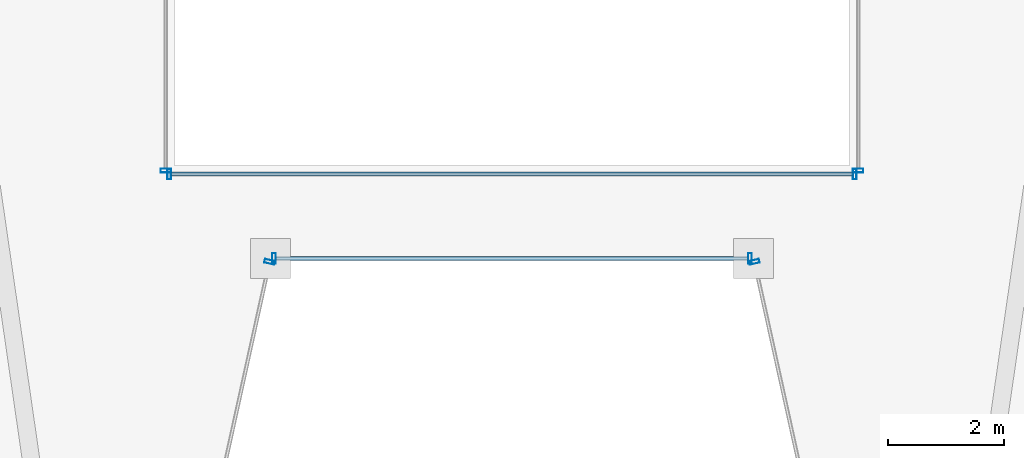
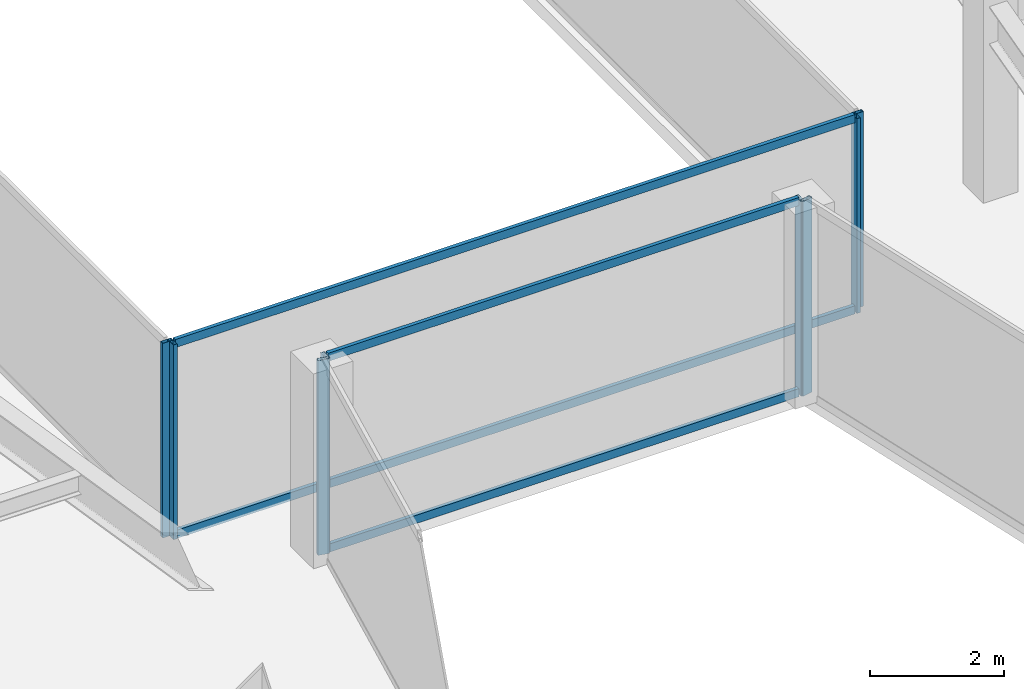
# One storey, part 7 of 36: 12 members, 6 elements without a shape of their own.
"""IFC4 building model written with IfcOpenShell, lengths in metres."""

from ifc_helpers import new_model, si_unit, direction, frame, origin, origin_2d, place, context, subcontext, project, spatial, hollow_rectangle, extrude, material, material_profile, profile_set, type_object, element, aggregate, save


model = new_model("IFC4")

# Units and contexts
model_context = context("Model", 3, precision=1e-05, world=origin(), true_north=direction((0.0, 1.0)))
body_context = subcontext(model_context, "Body", "Model", "MODEL_VIEW")
ifc_project = project(units=[si_unit("LENGTHUNIT", "METRE"), si_unit("AREAUNIT", "SQUARE_METRE"), si_unit("VOLUMEUNIT", "CUBIC_METRE"), si_unit("PLANEANGLEUNIT", "RADIAN"), si_unit("MASSUNIT", "GRAM", prefix="KILO")], contexts=[model_context])

# Site, building, storey
site_placement = place(None, origin())
site = spatial("IfcSite", under=ifc_project, at=site_placement, CompositionType="ELEMENT")
building_placement = place(site_placement, origin())
building = spatial("IfcBuilding", under=site, at=building_placement, Name="Saevonmaru Cultural Tower", CompositionType="ELEMENT")
storey_placement = place(building_placement, frame((0.0, 0.0, 152.39990234375)))
storey = spatial("IfcBuildingStorey", under=building, at=storey_placement, Name="L33", CompositionType="ELEMENT", Elevation=152.39990234375)

# Curtain wall, member
ifc_material = material(Name="Satin Bronze Anodised Aluminium", Category="aluminium")
curtain_wall_type_1 = type_object("IfcCurtainWallType", Name="CW-TYP-A", PredefinedType="NOTDEFINED", material=ifc_material)
curtain_wall_1_placement = place(storey_placement, origin())
curtain_wall_1 = element("IfcCurtainWall", 1, at=curtain_wall_1_placement, inside=storey, type_object=curtain_wall_type_1, Name="L33 Unitised Curtain Wall E3", PredefinedType="NOTDEFINED")
ifc_material_profile_1 = material_profile(ifc_material, hollow_rectangle(XDim=0.06494140625, YDim=0.179931640625, WallThickness=0.00390625, at=origin_2d()), Name="ALU-MULL-180x65x4")
ifc_profile_set_1 = profile_set([ifc_material_profile_1], Name="Satin Bronze Anodised Aluminium")
member_type_1 = type_object("IfcMemberType", Name="ML-CW-180x65", PredefinedType="MULLION", material=ifc_profile_set_1)
member_1_placement = place(storey_placement, frame((25.8359375, 20.741455078125, 0.0), z_axis=(0.0, 0.0, 1.0), x_axis=(0.215413319953, 0.976522965212, 0.0)))
member_1 = element("IfcMember", 2, at=member_1_placement, type_object=member_type_1, Name="CW-TW-L33-E3 mullion 2", PredefinedType="MULLION", context=body_context, shape_type="SweptSolid", body=[
    extrude(hollow_rectangle(XDim=0.06494140625, YDim=0.179931640625, WallThickness=0.00390625, at=origin_2d()), origin(), (0.0, 0.0, 1.0), 3.550048828125),
])
aggregate(curtain_wall_1, [member_1])

# Curtain wall, members
curtain_wall_2_placement = place(storey_placement, origin())
curtain_wall_2 = element("IfcCurtainWall", 3, at=curtain_wall_2_placement, inside=storey, type_object=curtain_wall_type_1, Name="L33 Unitised Curtain Wall E4", PredefinedType="NOTDEFINED")
member_2_placement = place(storey_placement, frame((25.908935546875, 20.800048828125, 0.0), z_axis=(0.0, 0.0, 1.0), x_axis=(1.0, 0.0, 0.0)))
member_2 = element("IfcMember", 4, at=member_2_placement, type_object=member_type_1, Name="CW-TW-L33-E4 mullion 1", PredefinedType="MULLION", context=body_context, shape_type="SweptSolid", body=[
    extrude(hollow_rectangle(XDim=0.06494140625, YDim=0.179931640625, WallThickness=0.00390625, at=origin_2d()), origin(), (0.0, 0.0, 1.0), 3.550048828125),
])
member_3_placement = place(storey_placement, frame((34.091064453125, 20.800048828125, 0.0), z_axis=(0.0, 0.0, 1.0), x_axis=(1.0, 0.0, 0.0)))
member_3 = element("IfcMember", 5, at=member_3_placement, type_object=member_type_1, Name="CW-TW-L33-E4 mullion 2", PredefinedType="MULLION", context=body_context, shape_type="SweptSolid", body=[
    extrude(hollow_rectangle(XDim=0.06494140625, YDim=0.179931640625, WallThickness=0.00390625, at=origin_2d()), origin(), (0.0, 0.0, 1.0), 3.550048828125),
])

# Curtain wall, member
curtain_wall_3_placement = place(storey_placement, origin())
curtain_wall_3 = element("IfcCurtainWall", 6, at=curtain_wall_3_placement, inside=storey, type_object=curtain_wall_type_1, Name="L33 Unitised Curtain Wall E5", PredefinedType="NOTDEFINED")
member_4_placement = place(storey_placement, frame((34.1640625, 20.741455078125, 0.0), z_axis=(0.0, 0.0, 1.0), x_axis=(0.215413319953, -0.976522965212, 0.0)))
member_4 = element("IfcMember", 7, at=member_4_placement, type_object=member_type_1, Name="CW-TW-L33-E5 mullion 1", PredefinedType="MULLION", context=body_context, shape_type="SweptSolid", body=[
    extrude(hollow_rectangle(XDim=0.06494140625, YDim=0.179931640625, WallThickness=0.00390625, at=origin_2d()), origin(), (0.0, 0.0, 1.0), 3.550048828125),
])
aggregate(curtain_wall_3, [member_4])

# Curtain wall, members
curtain_wall_type_2 = type_object("IfcCurtainWallType", Name="CW-ATR-GLZ", PredefinedType="NOTDEFINED", material=ifc_material)
curtain_wall_4_placement = place(storey_placement, origin())
curtain_wall_4 = element("IfcCurtainWall", 8, at=curtain_wall_4_placement, inside=storey, type_object=curtain_wall_type_2, Name="L33 Vertical Atrium Glazed Smoke Screen 1", PredefinedType="NOTDEFINED")
ifc_material_profile_2 = material_profile(ifc_material, hollow_rectangle(XDim=0.06494140625, YDim=0.179931640625, WallThickness=0.00390625, at=origin_2d()), Name="ALU-MULL-180x65x4")
ifc_profile_set_2 = profile_set([ifc_material_profile_2], Name="Satin Bronze Anodised Aluminium")
member_type_2 = type_object("IfcMemberType", Name="ML-CW-INT-180x65", PredefinedType="MULLION", material=ifc_profile_set_2)
member_5_placement = place(storey_placement, frame((24.110107421875, 22.25, 0.0), z_axis=(0.0, 0.0, 1.0), x_axis=(1.0, 0.0, 0.0)))
member_5 = element("IfcMember", 9, at=member_5_placement, type_object=member_type_2, Name="CW-ATR-L33-1 mullion 1", PredefinedType="MULLION", context=body_context, shape_type="SweptSolid", body=[
    extrude(hollow_rectangle(XDim=0.06494140625, YDim=0.179931640625, WallThickness=0.00390625, at=origin_2d()), origin(), (0.0, 0.0, 1.0), 3.550048828125),
])
member_6_placement = place(storey_placement, frame((35.889892578125, 22.25, 0.0), z_axis=(0.0, 0.0, 1.0), x_axis=(1.0, 0.0, 0.0)))
member_6 = element("IfcMember", 10, at=member_6_placement, type_object=member_type_2, Name="CW-ATR-L33-1 mullion 2", PredefinedType="MULLION", context=body_context, shape_type="SweptSolid", body=[
    extrude(hollow_rectangle(XDim=0.06494140625, YDim=0.179931640625, WallThickness=0.00390625, at=origin_2d()), origin(), (0.0, 0.0, 1.0), 3.550048828125),
])

# Curtain wall, member
curtain_wall_5_placement = place(storey_placement, origin())
curtain_wall_5 = element("IfcCurtainWall", 11, at=curtain_wall_5_placement, inside=storey, type_object=curtain_wall_type_2, Name="L33 Vertical Atrium Glazed Smoke Screen 2", PredefinedType="NOTDEFINED")
member_7_placement = place(storey_placement, frame((35.949951171875, 22.31005859375, 0.0), z_axis=(0.0, 0.0, 1.0), x_axis=(0.0, 1.0, 0.0)))
member_7 = element("IfcMember", 12, at=member_7_placement, type_object=member_type_2, Name="CW-ATR-L33-2 mullion 1", PredefinedType="MULLION", context=body_context, shape_type="SweptSolid", body=[
    extrude(hollow_rectangle(XDim=0.06494140625, YDim=0.179931640625, WallThickness=0.00390625, at=origin_2d()), origin(), (0.0, 0.0, 1.0), 3.550048828125),
])
aggregate(curtain_wall_5, [member_7])

curtain_wall_6_placement = place(storey_placement, origin())
curtain_wall_6 = element("IfcCurtainWall", 13, at=curtain_wall_6_placement, inside=storey, type_object=curtain_wall_type_2, Name="L33 Vertical Atrium Glazed Smoke Screen 4", PredefinedType="NOTDEFINED")
member_8_placement = place(storey_placement, frame((24.050048828125, 22.31005859375, 0.0), z_axis=(0.0, 0.0, 1.0), x_axis=(0.0, -1.0, 0.0)))
member_8 = element("IfcMember", 14, at=member_8_placement, type_object=member_type_2, Name="CW-ATR-L33-4 mullion 2", PredefinedType="MULLION", context=body_context, shape_type="SweptSolid", body=[
    extrude(hollow_rectangle(XDim=0.06494140625, YDim=0.179931640625, WallThickness=0.00390625, at=origin_2d()), origin(), (0.0, 0.0, 1.0), 3.550048828125),
])
aggregate(curtain_wall_6, [member_8])

# Member
ifc_material_profile_3 = material_profile(ifc_material, hollow_rectangle(XDim=0.06494140625, YDim=0.14990234375, WallThickness=0.00390625, at=origin_2d()), Name="ALU-TRAN-150x65x4")
ifc_profile_set_3 = profile_set([ifc_material_profile_3], Name="Satin Bronze Anodised Aluminium")
member_type_3 = type_object("IfcMemberType", Name="TR-CW-150x65", PredefinedType="USERDEFINED", material=ifc_profile_set_3)
member_9_placement = place(storey_placement, frame((25.94140625, 20.800048828125, 0.03271484375), z_axis=(1.0, 0.0, 0.0), x_axis=(0.0, 1.0, 0.0)))
member_9 = element("IfcMember", 15, at=member_9_placement, type_object=member_type_3, Name="CW-TW-L33-E4 transom 1.1", ObjectType="TRANSOM", PredefinedType="USERDEFINED", context=body_context, shape_type="SweptSolid", body=[
    extrude(hollow_rectangle(XDim=0.06494140625, YDim=0.14990234375, WallThickness=0.00390625, at=origin_2d()), origin(), (0.0, 0.0, 1.0), 8.1171875),
])

member_10_placement = place(storey_placement, frame((25.94140625, 20.800048828125, 3.517578125), z_axis=(1.0, 0.0, 0.0), x_axis=(0.0, 1.0, 0.0)))
member_10 = element("IfcMember", 16, at=member_10_placement, type_object=member_type_3, Name="CW-TW-L33-E4 transom 1.2", ObjectType="TRANSOM", PredefinedType="USERDEFINED", context=body_context, shape_type="SweptSolid", body=[
    extrude(hollow_rectangle(XDim=0.06494140625, YDim=0.14990234375, WallThickness=0.00390625, at=origin_2d()), origin(), (0.0, 0.0, 1.0), 8.1171875),
])

aggregate(curtain_wall_2, [member_2, member_3, member_9, member_10])

ifc_material_profile_4 = material_profile(ifc_material, hollow_rectangle(XDim=0.06494140625, YDim=0.14990234375, WallThickness=0.00390625, at=origin_2d()), Name="ALU-TRAN-150x65x4")
ifc_profile_set_4 = profile_set([ifc_material_profile_4], Name="Satin Bronze Anodised Aluminium")
member_type_4 = type_object("IfcMemberType", Name="TR-CW-INT-150x65", PredefinedType="USERDEFINED", material=ifc_profile_set_4)
member_11_placement = place(storey_placement, frame((24.142578125, 22.25, 0.03271484375), z_axis=(1.0, 0.0, 0.0), x_axis=(0.0, 1.0, 0.0)))
member_11 = element("IfcMember", 17, at=member_11_placement, type_object=member_type_4, Name="CW-ATR-L33-1 transom 1.1", ObjectType="TRANSOM", PredefinedType="USERDEFINED", context=body_context, shape_type="SweptSolid", body=[
    extrude(hollow_rectangle(XDim=0.06494140625, YDim=0.14990234375, WallThickness=0.00390625, at=origin_2d()), origin(), (0.0, 0.0, 1.0), 11.71484375),
])

member_12_placement = place(storey_placement, frame((24.142578125, 22.25, 3.517578125), z_axis=(1.0, 0.0, 0.0), x_axis=(0.0, 1.0, 0.0)))
member_12 = element("IfcMember", 18, at=member_12_placement, type_object=member_type_4, Name="CW-ATR-L33-1 transom 1.2", ObjectType="TRANSOM", PredefinedType="USERDEFINED", context=body_context, shape_type="SweptSolid", body=[
    extrude(hollow_rectangle(XDim=0.06494140625, YDim=0.14990234375, WallThickness=0.00390625, at=origin_2d()), origin(), (0.0, 0.0, 1.0), 11.71484375),
])

aggregate(curtain_wall_4, [member_5, member_6, member_11, member_12])

save(model, "model.ifc")
